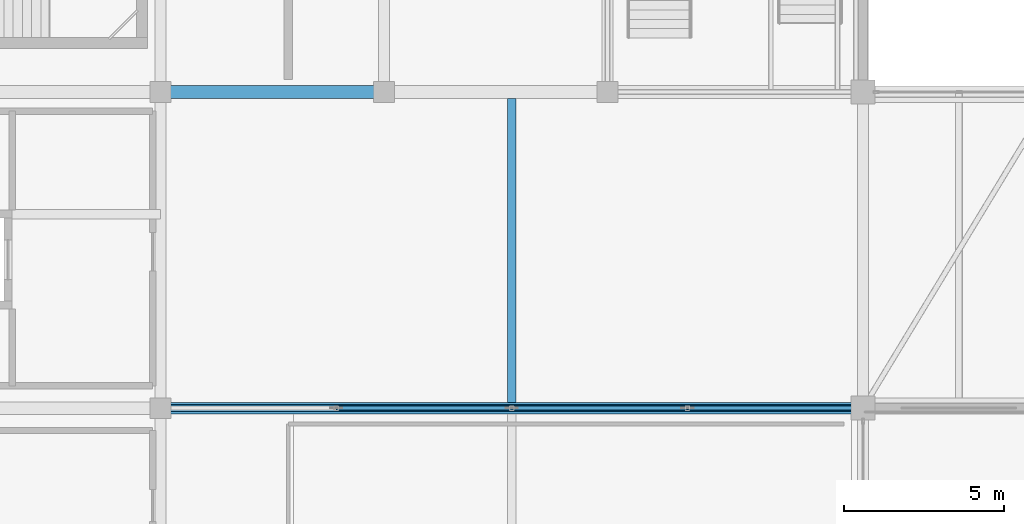
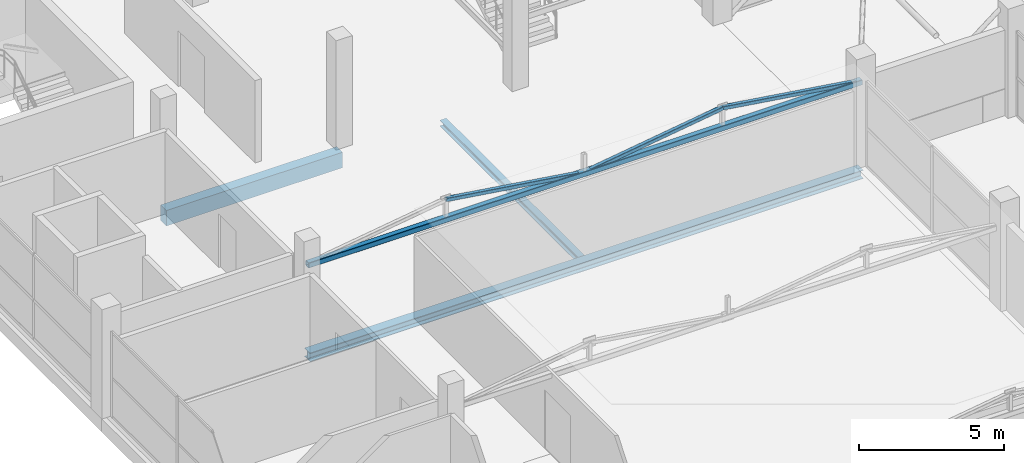
# One storey, part 28 of 69: 4 members, 3 beams.
"""IFC4 building model written with IfcOpenShell, lengths in metres."""

from ifc_helpers import new_model, si_unit, direction, frame, origin, origin_2d, place, context, subcontext, project, spatial, rectangle, hollow_rectangle, i_section, extrude, material, material_profile, profile_set, type_object, element, save


model = new_model("IFC4")

# Units and contexts
model_context = context("Model", 3, precision=1e-05, world=origin(), true_north=direction((0.0, 1.0)))
body_context = subcontext(model_context, "Body", "Model", "MODEL_VIEW")
ifc_project = project(units=[si_unit("LENGTHUNIT", "METRE"), si_unit("AREAUNIT", "SQUARE_METRE"), si_unit("VOLUMEUNIT", "CUBIC_METRE"), si_unit("PLANEANGLEUNIT", "RADIAN"), si_unit("MASSUNIT", "GRAM", prefix="KILO")], contexts=[model_context])

# Site, building, storey
site_placement = place(None, origin())
site = spatial("IfcSite", under=ifc_project, at=site_placement, CompositionType="ELEMENT")
building_placement = place(site_placement, origin())
building = spatial("IfcBuilding", under=site, at=building_placement, Name="Sillaruma Civic Art Gallery", CompositionType="ELEMENT")
storey_placement = place(building_placement, frame((0.0, 0.0, 42.330078125)))
storey = spatial("IfcBuildingStorey", under=building, at=storey_placement, Name="L08", CompositionType="ELEMENT", Elevation=42.330078125)

# Beams
ifc_material_1 = material(Name="Concrete H35 (35 MPa)", Category="concrete")
ifc_material_profile_1 = material_profile(ifc_material_1, rectangle(XDim=0.39990234375, YDim=0.64990234375, at=origin_2d()), Name="RCB400x650")
ifc_profile_set_1 = profile_set([ifc_material_profile_1], Name="Concrete H35 (35 MPa)")
beam_type_1 = type_object("IfcBeamType", Name="BM-BEAM-RCB400x650", PredefinedType="BEAM", material=ifc_profile_set_1)
beam_1_placement = place(storey_placement, frame((70.0, 79.199951171875, -0.60498046875), z_axis=(1.0, 0.0, 0.0), x_axis=(0.0, 1.0, 0.0)))
element("IfcBeam", 1, at=beam_1_placement, inside=storey, type_object=beam_type_1, Name="Beam BM-05 (L07:9:G-H)", PredefinedType="BEAM", context=body_context, shape_type="SweptSolid", body=[
    extrude(rectangle(XDim=0.39990234375, YDim=0.64990234375, at=origin_2d()), origin(), (0.0, 0.0, 1.0), 7.0),
])
ifc_material_2 = material(Name="Structural Steel ASTM A992 Gr.50", Category="steel")
ifc_material_profile_2 = material_profile(ifc_material_2, i_section(OverallWidth=0.256103515625, OverallDepth=0.260009765625, WebThickness=0.0107421875, FlangeThickness=0.017333984375, FilletRadius=0.012939453125, at=origin_2d()), Name="W250x89")
ifc_profile_set_2 = profile_set([ifc_material_profile_2], Name="Structural Steel ASTM A992 Gr.50")
beam_type_2 = type_object("IfcBeamType", Name="BM-JOIST-W250x89", PredefinedType="JOIST", material=ifc_profile_set_2)
beam_2_placement = place(storey_placement, frame((81.0, 69.485595703125, -0.41015625), z_axis=(0.0, 1.0, 0.0), x_axis=(-1.0, 0.0, 0.0)))
element("IfcBeam", 2, at=beam_2_placement, inside=storey, type_object=beam_type_2, Name="Long-Span Gallery Joist JS-04 (L07:8-9)", PredefinedType="JOIST", context=body_context, shape_type="SweptSolid", body=[
    extrude(i_section(OverallWidth=0.256103515625, OverallDepth=0.260009765625, WebThickness=0.0107421875, FlangeThickness=0.017333984375, FilletRadius=0.012939453125, at=origin_2d()), origin(), (0.0, 0.0, 1.0), 9.514404296875),
])
ifc_material_profile_3 = material_profile(ifc_material_2, i_section(OverallWidth=0.37109375, OverallDepth=0.364013671875, WebThickness=0.01318359375, FlangeThickness=0.021728515625, FilletRadius=0.014892578125, at=origin_2d()), Name="W360x162")
ifc_profile_set_3 = profile_set([ifc_material_profile_3], Name="Structural Steel ASTM A992 Gr.50")
beam_type_3 = type_object("IfcBeamType", Name="BM-TRTOP-W360x162", PredefinedType="BEAM", material=ifc_profile_set_3)
beam_3_placement = place(storey_placement, frame((70.0, 69.300048828125, -0.462158203125), z_axis=(1.0, 0.0, 0.0), x_axis=(0.0, 1.0, 0.0)))
element("IfcBeam", 3, at=beam_3_placement, inside=storey, type_object=beam_type_3, Name="Warren Truss Top Chord TR-L07-3", PredefinedType="BEAM", context=body_context, shape_type="SweptSolid", body=[
    extrude(i_section(OverallWidth=0.37109375, OverallDepth=0.364013671875, WebThickness=0.01318359375, FlangeThickness=0.021728515625, FilletRadius=0.014892578125, at=origin_2d()), origin(), (0.0, 0.0, 1.0), 22.0),
])

# Members
ifc_material_3 = material(Name="Structural Steel ASTM A500 Gr.C", Category="steel")
ifc_material_profile_4 = material_profile(ifc_material_3, hollow_rectangle(XDim=0.14990234375, YDim=0.14990234375, WallThickness=0.010009765625, InnerFilletRadius=0.010009765625, OuterFilletRadius=0.02001953125, at=origin_2d()), Name="HSS150x150x10")
ifc_profile_set_4 = profile_set([ifc_material_profile_4], Name="Structural Steel ASTM A500 Gr.C")
member_type_1 = type_object("IfcMemberType", Name="MEM-BRACE-HSS150x150x10", PredefinedType="BRACE", material=ifc_profile_set_4)
for number, where, z_axis, x_axis, name in (
    (4, (75.5, 69.300048828125, 4.157958984375), (0.989377720719, 0.0, -0.145367553959), (0.0, 1.0, 0.0), "Warren Truss Diagonal TR-L08-3-D2"),
    (5, (81.0, 69.300048828125, 3.349853515625), (0.989377720719, 0.0, 0.145367553959), (0.0, 1.0, 0.0), "Warren Truss Diagonal TR-L08-3-D3"),
    (6, (86.5, 69.300048828125, 4.157958984375), (0.989377720719, 0.0, -0.145367553959), (0.0, 1.0, 0.0), "Warren Truss Diagonal TR-L08-3-D4"),
):
    element("IfcMember", number, at=place(storey_placement, frame(where, z_axis=z_axis, x_axis=x_axis)), inside=storey, type_object=member_type_1, Name=name, PredefinedType="BRACE", context=body_context, shape_type="SweptSolid", body=[
        extrude(hollow_rectangle(XDim=0.14990234375, YDim=0.14990234375, WallThickness=0.010009765625, InnerFilletRadius=0.010009765625, OuterFilletRadius=0.02001953125, at=origin_2d()), origin(), (0.0, 0.0, 1.0), 5.55908203125),
    ])
ifc_material_profile_5 = material_profile(ifc_material_3, hollow_rectangle(XDim=0.219970703125, YDim=0.219970703125, WallThickness=0.012451171875, InnerFilletRadius=0.012451171875, OuterFilletRadius=0.02490234375, at=origin_2d()), Name="HSS220x220x12.5")
ifc_profile_set_5 = profile_set([ifc_material_profile_5], Name="Structural Steel ASTM A500 Gr.C")
member_type_2 = type_object("IfcMemberType", Name="MEM-CHORD-HSS220x220x12.5", PredefinedType="CHORD", material=ifc_profile_set_5)
member_placement = place(storey_placement, frame((70.0, 69.300048828125, 3.349853515625), z_axis=(1.0, 0.0, 0.0), x_axis=(0.0, 1.0, 0.0)))
element("IfcMember", 7, at=member_placement, inside=storey, type_object=member_type_2, Name="Warren Truss Bottom Chord TR-L08-3", PredefinedType="CHORD", context=body_context, shape_type="SweptSolid", body=[
    extrude(hollow_rectangle(XDim=0.219970703125, YDim=0.219970703125, WallThickness=0.012451171875, InnerFilletRadius=0.012451171875, OuterFilletRadius=0.02490234375, at=origin_2d()), origin(), (0.0, 0.0, 1.0), 22.0),
])

save(model, "model.ifc")
